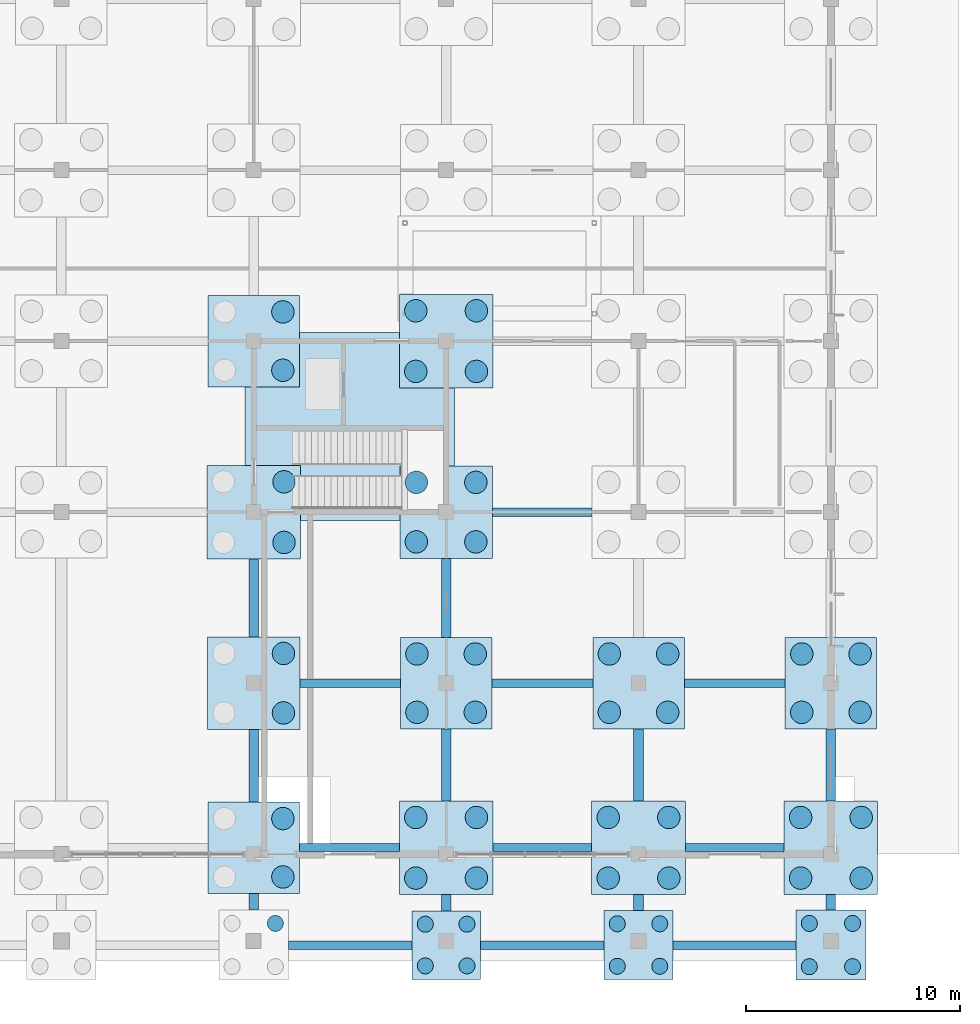
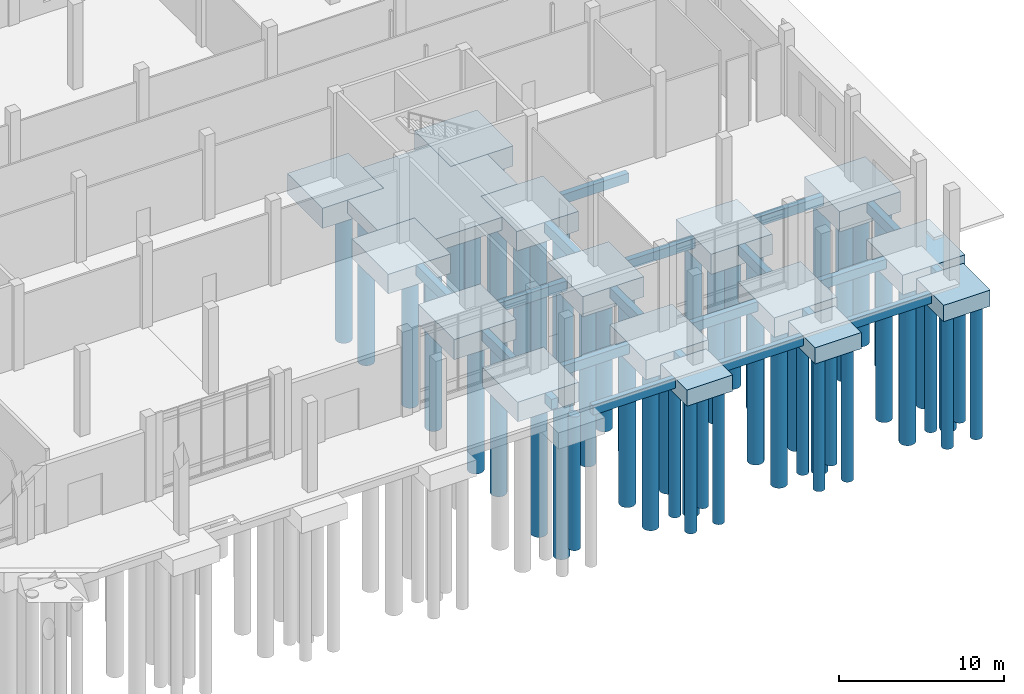
# One storey, part 16 of 99: 53 piles, 36 footings.
"""IFC4 building model written with IfcOpenShell, lengths in metres."""

from ifc_helpers import new_model, si_unit, direction, frame, origin, origin_2d, place, context, subcontext, project, spatial, polyline, rectangle, circle, outline, extrude, material, layer, layer_set, material_profile, profile_set, type_object, element, save


model = new_model("IFC4")

# Units and contexts
model_context = context("Model", 3, precision=1e-05, world=origin(), true_north=direction((0.0, 1.0)))
body_context = subcontext(model_context, "Body", "Model", "MODEL_VIEW")
ifc_project = project(units=[si_unit("LENGTHUNIT", "METRE"), si_unit("AREAUNIT", "SQUARE_METRE"), si_unit("VOLUMEUNIT", "CUBIC_METRE"), si_unit("PLANEANGLEUNIT", "RADIAN"), si_unit("MASSUNIT", "GRAM", prefix="KILO")], contexts=[model_context])

# Site, building, storey
site_placement = place(None, origin())
site = spatial("IfcSite", under=ifc_project, at=site_placement, CompositionType="ELEMENT")
building_placement = place(site_placement, origin())
building = spatial("IfcBuilding", under=site, at=building_placement, Name="Zacnel Wholesale Market", CompositionType="ELEMENT")
storey_placement = place(building_placement, origin())
storey = spatial("IfcBuildingStorey", under=building, at=storey_placement, Name="L01", CompositionType="ELEMENT", Elevation=0.0)

# Footings
ifc_material_1 = material(Name="Concrete C35/45", Category="concrete")
ifc_layer_1 = layer(ifc_material_1, 0.949951171875)
ifc_layer_set_1 = layer_set([ifc_layer_1], Name="Concrete C35/45")
footing_type_1 = type_object("IfcFootingType", Name="FTG-CORE-MAT-9500X8700", PredefinedType="PAD_FOOTING", material=ifc_layer_set_1)
footing_1_placement = place(storey_placement, frame((0.0, 0.0, -1.449951171875)))
element("IfcFooting", 1, at=footing_1_placement, inside=storey, type_object=footing_type_1, Name="Core C2 mat foundation", PredefinedType="PAD_FOOTING", context=body_context, shape_type="SweptSolid", body=[
    extrude(outline(polyline([(195.8349609375, 18.166015625), (195.8349609375, 18.166015625), (195.834716796875, 18.166015625), (195.834716796875, 18.166015625), (195.834716796875, 18.166015625), (195.83447265625, 18.166015625), (195.83447265625, 18.165771484375), (195.83447265625, 18.165771484375), (195.834228515625, 18.165771484375), (195.834228515625, 18.16552734375), (195.834228515625, 18.16552734375), (195.833984375, 18.16552734375), (195.833984375, 18.165283203125), (195.833984375, 18.165283203125), (195.833984375, 18.165283203125), (195.833984375, 18.1650390625), (195.833984375, 18.1650390625), (195.833984375, 15.60009765625), (191.19091796875, 15.60009765625), (191.19091796875, 18.18994140625), (191.19091796875, 18.190185546875), (191.19091796875, 18.190185546875), (191.19091796875, 18.190185546875), (191.19091796875, 18.1904296875), (191.19091796875, 18.1904296875), (191.19091796875, 18.190673828125), (191.19091796875, 18.190673828125), (191.190673828125, 18.190673828125), (191.190673828125, 18.19091796875), (191.190673828125, 18.19091796875), (191.1904296875, 18.19091796875), (191.1904296875, 18.19091796875), (191.190185546875, 18.19091796875), (191.190185546875, 18.19091796875), (191.190185546875, 18.19091796875), (191.18994140625, 18.19091796875), (188.60009765625, 18.19091796875), (188.60009765625, 21.85888671875), (191.139892578125, 21.85888671875), (191.14013671875, 21.85888671875), (191.14013671875, 21.85888671875), (191.140380859375, 21.85888671875), (191.140380859375, 21.859130859375), (191.140380859375, 21.859130859375), (191.140625, 21.859130859375), (191.140625, 21.859130859375), (191.140625, 21.859375), (191.140869140625, 21.859375), (191.140869140625, 21.859375), (191.140869140625, 21.859619140625), (191.140869140625, 21.859619140625), (191.14111328125, 21.859619140625), (191.14111328125, 21.85986328125), (191.14111328125, 21.85986328125), (191.14111328125, 21.860107421875), (191.14111328125, 24.39990234375), (195.80908203125, 24.39990234375), (195.80908203125, 21.81005859375), (195.80908203125, 21.809814453125), (195.80908203125, 21.809814453125), (195.80908203125, 21.809814453125), (195.80908203125, 21.8095703125), (195.80908203125, 21.8095703125), (195.80908203125, 21.809326171875), (195.80908203125, 21.809326171875), (195.809326171875, 21.809326171875), (195.809326171875, 21.80908203125), (195.809326171875, 21.80908203125), (195.8095703125, 21.80908203125), (195.8095703125, 21.80908203125), (195.809814453125, 21.80908203125), (195.809814453125, 21.80908203125), (195.809814453125, 21.80908203125), (195.81005859375, 21.80908203125), (198.39990234375, 21.80908203125), (198.39990234375, 18.166015625), (195.8349609375, 18.166015625)])), origin(), (0.0, 0.0, 1.0), 0.949951171875),
])
ifc_material_2 = material(Name="Concrete C35/45", Category="concrete")
ifc_material_profile_1 = material_profile(ifc_material_2, rectangle(XDim=0.39990234375, YDim=0.699951171875, at=origin_2d()), Name="CT 400x700")
ifc_profile_set_1 = profile_set([ifc_material_profile_1], Name="Concrete C35/45")
footing_type_2 = type_object("IfcFootingType", Name="FTG-CT400X700", PredefinedType="FOOTING_BEAM", material=ifc_profile_set_1)
footing_2_placement = place(storey_placement, frame((190.635009765625, -4.25, -0.85009765625), z_axis=(1.0, 0.0, 0.0), x_axis=(0.0, 1.0, 0.0)))
element("IfcFooting", 2, at=footing_2_placement, inside=storey, type_object=footing_type_2, Name="Ground tie beam CT-X-0243", PredefinedType="FOOTING_BEAM", context=body_context, shape_type="SweptSolid", body=[
    extrude(rectangle(XDim=0.39990234375, YDim=0.699951171875, at=origin_2d()), origin(), (0.0, 0.0, 1.0), 5.764892578125),
])
footing_3_placement = place(storey_placement, frame((199.60009765625, -4.25, -0.85009765625), z_axis=(1.0, 0.0, 0.0), x_axis=(0.0, 1.0, 0.0)))
element("IfcFooting", 3, at=footing_3_placement, inside=storey, type_object=footing_type_2, Name="Ground tie beam CT-X-0244", PredefinedType="FOOTING_BEAM", context=body_context, shape_type="SweptSolid", body=[
    extrude(rectangle(XDim=0.39990234375, YDim=0.699951171875, at=origin_2d()), origin(), (0.0, 0.0, 1.0), 5.77978515625),
])
footing_4_placement = place(storey_placement, frame((208.6201171875, -4.25, -0.85009765625), z_axis=(1.0, 0.0, 0.0), x_axis=(0.0, 1.0, 0.0)))
element("IfcFooting", 4, at=footing_4_placement, inside=storey, type_object=footing_type_2, Name="Ground tie beam CT-X-0245", PredefinedType="FOOTING_BEAM", context=body_context, shape_type="SweptSolid", body=[
    extrude(rectangle(XDim=0.39990234375, YDim=0.699951171875, at=origin_2d()), origin(), (0.0, 0.0, 1.0), 5.744873046875),
])
footing_5_placement = place(storey_placement, frame((191.139892578125, 0.300048828125, -0.85009765625), z_axis=(1.0, 0.0, 0.0), x_axis=(0.0, 1.0, 0.0)))
element("IfcFooting", 5, at=footing_5_placement, inside=storey, type_object=footing_type_2, Name="Ground tie beam CT-X-0261", PredefinedType="FOOTING_BEAM", context=body_context, shape_type="SweptSolid", body=[
    extrude(rectangle(XDim=0.39990234375, YDim=0.699951171875, at=origin_2d()), origin(), (0.0, 0.0, 1.0), 4.670166015625),
])
for number, where, z_axis, x_axis, name in (
    (6, (200.18994140625, 0.300048828125, -0.85009765625), (1.0, 0.0, 0.0), (0.0, 1.0, 0.0), "Ground tie beam CT-X-0262"),
    (7, (209.18994140625, 0.300048828125, -0.85009765625), (1.0, 0.0, 0.0), (0.0, 1.0, 0.0), "Ground tie beam CT-X-0263"),
):
    element("IfcFooting", number, at=place(storey_placement, frame(where, z_axis=z_axis, x_axis=x_axis)), inside=storey, type_object=footing_type_2, Name=name, PredefinedType="FOOTING_BEAM", context=body_context, shape_type="SweptSolid", body=[
        extrude(rectangle(XDim=0.39990234375, YDim=0.699951171875, at=origin_2d()), origin(), (0.0, 0.0, 1.0), 4.6201171875),
    ])
footing_6_placement = place(storey_placement, frame((191.1650390625, 8.0, -0.85009765625), z_axis=(1.0, 0.0, 0.0), x_axis=(0.0, 1.0, 0.0)))
element("IfcFooting", 8, at=footing_6_placement, inside=storey, type_object=footing_type_2, Name="Ground tie beam CT-X-0280", PredefinedType="FOOTING_BEAM", context=body_context, shape_type="SweptSolid", body=[
    extrude(rectangle(XDim=0.39990234375, YDim=0.699951171875, at=origin_2d()), origin(), (0.0, 0.0, 1.0), 4.695068359375),
])
for number, where, z_axis, x_axis, name in (
    (9, (200.139892578125, 8.0, -0.85009765625), (1.0, 0.0, 0.0), (0.0, 1.0, 0.0), "Ground tie beam CT-X-0281"),
    (10, (209.139892578125, 8.0, -0.85009765625), (1.0, 0.0, 0.0), (0.0, 1.0, 0.0), "Ground tie beam CT-X-0282"),
):
    element("IfcFooting", number, at=place(storey_placement, frame(where, z_axis=z_axis, x_axis=x_axis)), inside=storey, type_object=footing_type_2, Name=name, PredefinedType="FOOTING_BEAM", context=body_context, shape_type="SweptSolid", body=[
        extrude(rectangle(XDim=0.39990234375, YDim=0.699951171875, at=origin_2d()), origin(), (0.0, 0.0, 1.0), 4.72021484375),
    ])
footing_7_placement = place(storey_placement, frame((200.1650390625, 16.0, -0.85009765625), z_axis=(1.0, 0.0, 0.0), x_axis=(0.0, 1.0, 0.0)))
element("IfcFooting", 11, at=footing_7_placement, inside=storey, type_object=footing_type_2, Name="Ground tie beam CT-X-0296", PredefinedType="FOOTING_BEAM", context=body_context, shape_type="SweptSolid", body=[
    extrude(rectangle(XDim=0.39990234375, YDim=0.699951171875, at=origin_2d()), origin(), (0.0, 0.0, 1.0), 4.669921875),
])
ifc_material_3 = material(Name="Concrete C35/45", Category="concrete")
ifc_material_profile_2 = material_profile(ifc_material_3, rectangle(XDim=0.449951171875, YDim=0.75, at=origin_2d()), Name="CT 450x750")
ifc_profile_set_2 = profile_set([ifc_material_profile_2], Name="Concrete C35/45")
footing_type_3 = type_object("IfcFootingType", Name="FTG-CT450X750", PredefinedType="FOOTING_BEAM", material=ifc_profile_set_2)
footing_8_placement = place(storey_placement, frame((189.0, -2.614990234375, -0.875), z_axis=(0.0, 1.0, 0.0), x_axis=(-1.0, 0.0, 0.0)))
element("IfcFooting", 12, at=footing_8_placement, inside=storey, type_object=footing_type_3, Name="Ground tie beam CT-Y-0195", PredefinedType="FOOTING_BEAM", context=body_context, shape_type="SweptSolid", body=[
    extrude(rectangle(XDim=0.449951171875, YDim=0.75, at=origin_2d()), origin(), (0.0, 0.0, 1.0), 0.77490234375),
])
footing_9_placement = place(storey_placement, frame((189.0, 2.43994140625, -0.875), z_axis=(0.0, 1.0, 0.0), x_axis=(-1.0, 0.0, 0.0)))
element("IfcFooting", 13, at=footing_9_placement, inside=storey, type_object=footing_type_3, Name="Ground tie beam CT-Y-0196", PredefinedType="FOOTING_BEAM", context=body_context, shape_type="SweptSolid", body=[
    extrude(rectangle(XDim=0.449951171875, YDim=0.75, at=origin_2d()), origin(), (0.0, 0.0, 1.0), 3.39501953125),
])
footing_10_placement = place(storey_placement, frame((189.0, 10.1650390625, -0.875), z_axis=(0.0, 1.0, 0.0), x_axis=(-1.0, 0.0, 0.0)))
element("IfcFooting", 14, at=footing_10_placement, inside=storey, type_object=footing_type_3, Name="Ground tie beam CT-Y-0197", PredefinedType="FOOTING_BEAM", context=body_context, shape_type="SweptSolid", body=[
    extrude(rectangle(XDim=0.449951171875, YDim=0.75, at=origin_2d()), origin(), (0.0, 0.0, 1.0), 3.64501953125),
])
footing_11_placement = place(storey_placement, frame((198.0, -2.64990234375, -0.875), z_axis=(0.0, 1.0, 0.0), x_axis=(-1.0, 0.0, 0.0)))
element("IfcFooting", 15, at=footing_11_placement, inside=storey, type_object=footing_type_3, Name="Ground tie beam CT-Y-0206", PredefinedType="FOOTING_BEAM", context=body_context, shape_type="SweptSolid", body=[
    extrude(rectangle(XDim=0.449951171875, YDim=0.75, at=origin_2d()), origin(), (0.0, 0.0, 1.0), 0.760009765625),
])
footing_12_placement = place(storey_placement, frame((198.0, 2.489990234375, -0.875), z_axis=(0.0, 1.0, 0.0), x_axis=(-1.0, 0.0, 0.0)))
element("IfcFooting", 16, at=footing_12_placement, inside=storey, type_object=footing_type_3, Name="Ground tie beam CT-Y-0207", PredefinedType="FOOTING_BEAM", context=body_context, shape_type="SweptSolid", body=[
    extrude(rectangle(XDim=0.449951171875, YDim=0.75, at=origin_2d()), origin(), (0.0, 0.0, 1.0), 3.3701171875),
])
footing_13_placement = place(storey_placement, frame((198.0, 10.139892578125, -0.875), z_axis=(0.0, 1.0, 0.0), x_axis=(-1.0, 0.0, 0.0)))
element("IfcFooting", 17, at=footing_13_placement, inside=storey, type_object=footing_type_3, Name="Ground tie beam CT-Y-0208", PredefinedType="FOOTING_BEAM", context=body_context, shape_type="SweptSolid", body=[
    extrude(rectangle(XDim=0.449951171875, YDim=0.75, at=origin_2d()), origin(), (0.0, 0.0, 1.0), 3.695068359375),
])
footing_14_placement = place(storey_placement, frame((207.0, -2.6298828125, -0.875), z_axis=(0.0, 1.0, 0.0), x_axis=(-1.0, 0.0, 0.0)))
element("IfcFooting", 18, at=footing_14_placement, inside=storey, type_object=footing_type_3, Name="Ground tie beam CT-Y-0215", PredefinedType="FOOTING_BEAM", context=body_context, shape_type="SweptSolid", body=[
    extrude(rectangle(XDim=0.449951171875, YDim=0.75, at=origin_2d()), origin(), (0.0, 0.0, 1.0), 0.739990234375),
])
footing_15_placement = place(storey_placement, frame((207.0, 2.489990234375, -0.875), z_axis=(0.0, 1.0, 0.0), x_axis=(-1.0, 0.0, 0.0)))
element("IfcFooting", 19, at=footing_15_placement, inside=storey, type_object=footing_type_3, Name="Ground tie beam CT-Y-0216", PredefinedType="FOOTING_BEAM", context=body_context, shape_type="SweptSolid", body=[
    extrude(rectangle(XDim=0.449951171875, YDim=0.75, at=origin_2d()), origin(), (0.0, 0.0, 1.0), 3.3701171875),
])
footing_16_placement = place(storey_placement, frame((216.0, -2.614990234375, -0.875), z_axis=(0.0, 1.0, 0.0), x_axis=(-1.0, 0.0, 0.0)))
element("IfcFooting", 20, at=footing_16_placement, inside=storey, type_object=footing_type_3, Name="Ground tie beam CT-Y-0226", PredefinedType="FOOTING_BEAM", context=body_context, shape_type="SweptSolid", body=[
    extrude(rectangle(XDim=0.449951171875, YDim=0.75, at=origin_2d()), origin(), (0.0, 0.0, 1.0), 0.72509765625),
])
footing_17_placement = place(storey_placement, frame((216.0, 2.489990234375, -0.875), z_axis=(0.0, 1.0, 0.0), x_axis=(-1.0, 0.0, 0.0)))
element("IfcFooting", 21, at=footing_17_placement, inside=storey, type_object=footing_type_3, Name="Ground tie beam CT-Y-0227", PredefinedType="FOOTING_BEAM", context=body_context, shape_type="SweptSolid", body=[
    extrude(rectangle(XDim=0.449951171875, YDim=0.75, at=origin_2d()), origin(), (0.0, 0.0, 1.0), 3.3701171875),
])
ifc_material_4 = material(Name="Concrete C35/45", Category="concrete")
ifc_layer_2 = layer(ifc_material_4, 1.199951171875)
ifc_layer_set_2 = layer_set([ifc_layer_2], Name="Concrete C35/45")
footing_type_4 = type_object("IfcFootingType", Name="FTG-PC-3200X3200X1200", PredefinedType="PILE_CAP", material=ifc_layer_set_2)
footing_18_placement = place(storey_placement, frame((198.0, -4.25, -1.7001953125), z_axis=(0.0, 0.0, 1.0), x_axis=(1.0, 0.0, 0.0)))
element("IfcFooting", 22, at=footing_18_placement, inside=storey, type_object=footing_type_4, Name="Pile cap PC-21 (STR-PC-R2-BV5-07)", PredefinedType="PILE_CAP", context=body_context, shape_type="SweptSolid", body=[
    extrude(rectangle(XDim=3.199951171875, YDim=3.199951171875, at=origin_2d()), origin(), (0.0, 0.0, 1.0), 1.199951171875),
])
ifc_material_5 = material(Name="Concrete C35/45", Category="concrete")
ifc_layer_3 = layer(ifc_material_5, 1.199951171875)
ifc_layer_set_3 = layer_set([ifc_layer_3], Name="Concrete C35/45")
footing_type_5 = type_object("IfcFootingType", Name="FTG-PC-3240X3240X1200", PredefinedType="PILE_CAP", material=ifc_layer_set_3)
footing_19_placement = place(storey_placement, frame((207.0, -4.25, -1.7001953125), z_axis=(0.0, 0.0, 1.0), x_axis=(1.0, 0.0, 0.0)))
element("IfcFooting", 23, at=footing_19_placement, inside=storey, type_object=footing_type_5, Name="Pile cap PC-22 (STR-PC-R2-BV5-08)", PredefinedType="PILE_CAP", context=body_context, shape_type="SweptSolid", body=[
    extrude(rectangle(XDim=3.239990234375, YDim=3.239990234375, at=origin_2d()), origin(), (0.0, 0.0, 1.0), 1.199951171875),
])
ifc_material_6 = material(Name="Concrete C35/45", Category="concrete")
ifc_layer_4 = layer(ifc_material_6, 1.199951171875)
ifc_layer_set_4 = layer_set([ifc_layer_4], Name="Concrete C35/45")
footing_type_6 = type_object("IfcFootingType", Name="FTG-PC-3270X3270X1200", PredefinedType="PILE_CAP", material=ifc_layer_set_4)
footing_20_placement = place(storey_placement, frame((216.0, -4.25, -1.7001953125), z_axis=(0.0, 0.0, 1.0), x_axis=(1.0, 0.0, 0.0)))
element("IfcFooting", 24, at=footing_20_placement, inside=storey, type_object=footing_type_6, Name="Pile cap PC-23 (STR-PC-R2-BV5-09)", PredefinedType="PILE_CAP", context=body_context, shape_type="SweptSolid", body=[
    extrude(rectangle(XDim=3.27001953125, YDim=3.27001953125, at=origin_2d()), origin(), (0.0, 0.0, 1.0), 1.199951171875),
])
ifc_material_7 = material(Name="Concrete C35/45", Category="concrete")
ifc_layer_5 = layer(ifc_material_7, 1.449951171875)
ifc_layer_set_5 = layer_set([ifc_layer_5], Name="Concrete C35/45")
footing_type_7 = type_object("IfcFootingType", Name="FTG-PC-4280X4280X1450", PredefinedType="PILE_CAP", material=ifc_layer_set_5)
footing_21_placement = place(storey_placement, frame((189.0, 0.300048828125, -1.9501953125), z_axis=(0.0, 0.0, 1.0), x_axis=(1.0, 0.0, 0.0)))
element("IfcFooting", 25, at=footing_21_placement, inside=storey, type_object=footing_type_7, Name="Pile cap PC-16 (STR-PC-255)", PredefinedType="PILE_CAP", context=body_context, shape_type="SweptSolid", body=[
    extrude(rectangle(XDim=4.280029296875, YDim=4.280029296875, at=origin_2d()), origin(), (0.0, 0.0, 1.0), 1.449951171875),
])
ifc_material_8 = material(Name="Concrete C35/45", Category="concrete")
ifc_layer_6 = layer(ifc_material_8, 1.5)
ifc_layer_set_6 = layer_set([ifc_layer_6], Name="Concrete C35/45")
footing_type_8 = type_object("IfcFootingType", Name="FTG-PC-4280X4280X1500", PredefinedType="PILE_CAP", material=ifc_layer_set_6)
for number, where, z_axis, x_axis, name in (
    (26, (189.0, 24.0, -2.0), (0.0, 0.0, 1.0), (1.0, 0.0, 0.0), "Pile cap PC-15 (STR-PC-258)"),
    (27, (198.0, 8.0, -2.0), (0.0, 0.0, 1.0), (1.0, 0.0, 0.0), "Pile cap PC-15 (STR-PC-270)"),
    (28, (207.0, 8.0, -2.0), (0.0, 0.0, 1.0), (1.0, 0.0, 0.0), "Pile cap PC-15 (STR-PC-282)"),
    (29, (216.0, 8.0, -2.0), (0.0, 0.0, 1.0), (1.0, 0.0, 0.0), "Pile cap PC-15 (STR-PC-294)"),
):
    element("IfcFooting", number, at=place(storey_placement, frame(where, z_axis=z_axis, x_axis=x_axis)), inside=storey, type_object=footing_type_8, Name=name, PredefinedType="PILE_CAP", context=body_context, shape_type="SweptSolid", body=[
        extrude(rectangle(XDim=4.280029296875, YDim=4.280029296875, at=origin_2d()), origin(), (0.0, 0.0, 1.0), 1.5),
    ])
ifc_material_9 = material(Name="Concrete C35/45", Category="concrete")
ifc_layer_7 = layer(ifc_material_9, 1.449951171875)
ifc_layer_set_7 = layer_set([ifc_layer_7], Name="Concrete C35/45")
footing_type_9 = type_object("IfcFootingType", Name="FTG-PC-4330X4330X1450", PredefinedType="PILE_CAP", material=ifc_layer_set_7)
footing_22_placement = place(storey_placement, frame((198.0, 16.0, -1.9501953125), z_axis=(0.0, 0.0, 1.0), x_axis=(1.0, 0.0, 0.0)))
element("IfcFooting", 30, at=footing_22_placement, inside=storey, type_object=footing_type_9, Name="Pile cap PC-19 (STR-PC-271)", PredefinedType="PILE_CAP", context=body_context, shape_type="SweptSolid", body=[
    extrude(rectangle(XDim=4.330078125, YDim=4.330078125, at=origin_2d()), origin(), (0.0, 0.0, 1.0), 1.449951171875),
])
ifc_material_10 = material(Name="Concrete C35/45", Category="concrete")
ifc_layer_8 = layer(ifc_material_10, 1.5)
ifc_layer_set_8 = layer_set([ifc_layer_8], Name="Concrete C35/45")
footing_type_10 = type_object("IfcFootingType", Name="FTG-PC-4330X4330X1500", PredefinedType="PILE_CAP", material=ifc_layer_set_8)
footing_23_placement = place(storey_placement, frame((189.0, 8.0, -2.0), z_axis=(0.0, 0.0, 1.0), x_axis=(1.0, 0.0, 0.0)))
element("IfcFooting", 31, at=footing_23_placement, inside=storey, type_object=footing_type_10, Name="Pile cap PC-17 (STR-PC-256)", PredefinedType="PILE_CAP", context=body_context, shape_type="SweptSolid", body=[
    extrude(rectangle(XDim=4.330078125, YDim=4.330078125, at=origin_2d()), origin(), (0.0, 0.0, 1.0), 1.5),
])
ifc_material_11 = material(Name="Concrete C35/45", Category="concrete")
ifc_layer_9 = layer(ifc_material_11, 1.449951171875)
ifc_layer_set_9 = layer_set([ifc_layer_9], Name="Concrete C35/45")
footing_type_11 = type_object("IfcFootingType", Name="FTG-PC-4380X4380X1450", PredefinedType="PILE_CAP", material=ifc_layer_set_9)
for number, where, z_axis, x_axis, name in (
    (32, (189.0, 16.0, -1.9501953125), (0.0, 0.0, 1.0), (1.0, 0.0, 0.0), "Pile cap PC-14 (STR-PC-257)"),
    (33, (198.0, 0.300048828125, -1.9501953125), (0.0, 0.0, 1.0), (1.0, 0.0, 0.0), "Pile cap PC-14 (STR-PC-269)"),
    (34, (207.0, 0.300048828125, -1.9501953125), (0.0, 0.0, 1.0), (1.0, 0.0, 0.0), "Pile cap PC-14 (STR-PC-281)"),
    (35, (216.0, 0.300048828125, -1.9501953125), (0.0, 0.0, 1.0), (1.0, 0.0, 0.0), "Pile cap PC-14 (STR-PC-293)"),
):
    element("IfcFooting", number, at=place(storey_placement, frame(where, z_axis=z_axis, x_axis=x_axis)), inside=storey, type_object=footing_type_11, Name=name, PredefinedType="PILE_CAP", context=body_context, shape_type="SweptSolid", body=[
        extrude(rectangle(XDim=4.3798828125, YDim=4.3798828125, at=origin_2d()), origin(), (0.0, 0.0, 1.0), 1.449951171875),
    ])
ifc_material_12 = material(Name="Concrete C35/45", Category="concrete")
ifc_layer_10 = layer(ifc_material_12, 1.5)
ifc_layer_set_10 = layer_set([ifc_layer_10], Name="Concrete C35/45")
footing_type_12 = type_object("IfcFootingType", Name="FTG-PC-4380X4380X1500", PredefinedType="PILE_CAP", material=ifc_layer_set_10)
footing_24_placement = place(storey_placement, frame((198.0, 24.0, -2.0), z_axis=(0.0, 0.0, 1.0), x_axis=(1.0, 0.0, 0.0)))
element("IfcFooting", 36, at=footing_24_placement, inside=storey, type_object=footing_type_12, Name="Pile cap PC-18 (STR-PC-272)", PredefinedType="PILE_CAP", context=body_context, shape_type="SweptSolid", body=[
    extrude(rectangle(XDim=4.3798828125, YDim=4.3798828125, at=origin_2d()), origin(), (0.0, 0.0, 1.0), 1.5),
])

# Piles
ifc_material_13 = material(Name="Concrete C35/45", Category="concrete")
ifc_material_profile_3 = material_profile(ifc_material_13, circle(Radius=0.52490234375, at=origin_2d()), Name="BORED PILE D1050")
ifc_profile_set_3 = profile_set([ifc_material_profile_3], Name="Concrete C35/45")
pile_type_1 = type_object("IfcPileType", Name="PILE-BORED-1050", PredefinedType="BORED", material=ifc_profile_set_3)
for number, where, z_axis, x_axis, name in (
    (37, (190.364990234375, -1.06494140625, -1.85009765625), (0.0, 0.0, -1.0), (1.0, 0.0, 0.0), "Bored pile STR-PILE-255-03"),
    (38, (190.364990234375, 1.6650390625, -1.85009765625), (0.0, 0.0, -1.0), (1.0, 0.0, 0.0), "Bored pile STR-PILE-255-04"),
):
    element("IfcPile", number, at=place(storey_placement, frame(where, z_axis=z_axis, x_axis=x_axis)), inside=storey, type_object=pile_type_1, Name=name, PredefinedType="BORED", context=body_context, shape_type="SweptSolid", body=[
        extrude(circle(Radius=0.52490234375, at=origin_2d()), origin(), (0.0, 0.0, 1.0), 11.64990234375),
    ])
for number, where, z_axis, x_axis, name in (
    (39, (190.3916015625, 6.6083984375, -1.89990234375), (0.0, 0.0, -1.0), (1.0, 0.0, 0.0), "Bored pile STR-PILE-256-03"),
    (40, (190.3916015625, 9.3916015625, -1.89990234375), (0.0, 0.0, -1.0), (1.0, 0.0, 0.0), "Bored pile STR-PILE-256-04"),
):
    element("IfcPile", number, at=place(storey_placement, frame(where, z_axis=z_axis, x_axis=x_axis)), inside=storey, type_object=pile_type_1, Name=name, PredefinedType="BORED", context=body_context, shape_type="SweptSolid", body=[
        extrude(circle(Radius=0.52490234375, at=origin_2d()), origin(), (0.0, 0.0, 1.0), 11.60009765625),
    ])
for number, where, z_axis, x_axis, name in (
    (41, (190.41748046875, 14.58251953125, -1.85009765625), (0.0, 0.0, -1.0), (1.0, 0.0, 0.0), "Bored pile STR-PILE-257-03"),
    (42, (190.41748046875, 17.41748046875, -1.85009765625), (0.0, 0.0, -1.0), (1.0, 0.0, 0.0), "Bored pile STR-PILE-257-04"),
):
    element("IfcPile", number, at=place(storey_placement, frame(where, z_axis=z_axis, x_axis=x_axis)), inside=storey, type_object=pile_type_1, Name=name, PredefinedType="BORED", context=body_context, shape_type="SweptSolid", body=[
        extrude(circle(Radius=0.52490234375, at=origin_2d()), origin(), (0.0, 0.0, 1.0), 11.64990234375),
    ])
for number, where, z_axis, x_axis, name in (
    (43, (190.364990234375, 22.635009765625, -1.89990234375), (0.0, 0.0, -1.0), (1.0, 0.0, 0.0), "Bored pile STR-PILE-258-03"),
    (44, (190.364990234375, 25.364990234375, -1.89990234375), (0.0, 0.0, -1.0), (1.0, 0.0, 0.0), "Bored pile STR-PILE-258-04"),
):
    element("IfcPile", number, at=place(storey_placement, frame(where, z_axis=z_axis, x_axis=x_axis)), inside=storey, type_object=pile_type_1, Name=name, PredefinedType="BORED", context=body_context, shape_type="SweptSolid", body=[
        extrude(circle(Radius=0.52490234375, at=origin_2d()), origin(), (0.0, 0.0, 1.0), 11.60009765625),
    ])
for number, where, z_axis, x_axis, name in (
    (45, (196.58251953125, -1.117431640625, -1.85009765625), (0.0, 0.0, -1.0), (1.0, 0.0, 0.0), "Bored pile STR-PILE-269-01"),
    (46, (196.58251953125, 1.717529296875, -1.85009765625), (0.0, 0.0, -1.0), (1.0, 0.0, 0.0), "Bored pile STR-PILE-269-02"),
    (47, (199.41748046875, -1.117431640625, -1.85009765625), (0.0, 0.0, -1.0), (1.0, 0.0, 0.0), "Bored pile STR-PILE-269-03"),
    (48, (199.41748046875, 1.717529296875, -1.85009765625), (0.0, 0.0, -1.0), (1.0, 0.0, 0.0), "Bored pile STR-PILE-269-04"),
):
    element("IfcPile", number, at=place(storey_placement, frame(where, z_axis=z_axis, x_axis=x_axis)), inside=storey, type_object=pile_type_1, Name=name, PredefinedType="BORED", context=body_context, shape_type="SweptSolid", body=[
        extrude(circle(Radius=0.52490234375, at=origin_2d()), origin(), (0.0, 0.0, 1.0), 11.64990234375),
    ])
for number, where, z_axis, x_axis, name in (
    (49, (196.635009765625, 6.635009765625, -1.89990234375), (0.0, 0.0, -1.0), (1.0, 0.0, 0.0), "Bored pile STR-PILE-270-01"),
    (50, (196.635009765625, 9.364990234375, -1.89990234375), (0.0, 0.0, -1.0), (1.0, 0.0, 0.0), "Bored pile STR-PILE-270-02"),
    (51, (199.364990234375, 6.635009765625, -1.89990234375), (0.0, 0.0, -1.0), (1.0, 0.0, 0.0), "Bored pile STR-PILE-270-03"),
    (52, (199.364990234375, 9.364990234375, -1.89990234375), (0.0, 0.0, -1.0), (1.0, 0.0, 0.0), "Bored pile STR-PILE-270-04"),
):
    element("IfcPile", number, at=place(storey_placement, frame(where, z_axis=z_axis, x_axis=x_axis)), inside=storey, type_object=pile_type_1, Name=name, PredefinedType="BORED", context=body_context, shape_type="SweptSolid", body=[
        extrude(circle(Radius=0.52490234375, at=origin_2d()), origin(), (0.0, 0.0, 1.0), 11.60009765625),
    ])
for number, where, z_axis, x_axis, name in (
    (53, (196.6083984375, 14.6083984375, -1.85009765625), (0.0, 0.0, -1.0), (1.0, 0.0, 0.0), "Bored pile STR-PILE-271-01"),
    (54, (196.6083984375, 17.3916015625, -1.85009765625), (0.0, 0.0, -1.0), (1.0, 0.0, 0.0), "Bored pile STR-PILE-271-02"),
    (55, (199.3916015625, 14.6083984375, -1.85009765625), (0.0, 0.0, -1.0), (1.0, 0.0, 0.0), "Bored pile STR-PILE-271-03"),
    (56, (199.3916015625, 17.3916015625, -1.85009765625), (0.0, 0.0, -1.0), (1.0, 0.0, 0.0), "Bored pile STR-PILE-271-04"),
):
    element("IfcPile", number, at=place(storey_placement, frame(where, z_axis=z_axis, x_axis=x_axis)), inside=storey, type_object=pile_type_1, Name=name, PredefinedType="BORED", context=body_context, shape_type="SweptSolid", body=[
        extrude(circle(Radius=0.52490234375, at=origin_2d()), origin(), (0.0, 0.0, 1.0), 11.64990234375),
    ])
for number, where, z_axis, x_axis, name in (
    (57, (196.58251953125, 22.58251953125, -1.89990234375), (0.0, 0.0, -1.0), (1.0, 0.0, 0.0), "Bored pile STR-PILE-272-01"),
    (58, (196.58251953125, 25.41748046875, -1.89990234375), (0.0, 0.0, -1.0), (1.0, 0.0, 0.0), "Bored pile STR-PILE-272-02"),
    (59, (199.41748046875, 22.58251953125, -1.89990234375), (0.0, 0.0, -1.0), (1.0, 0.0, 0.0), "Bored pile STR-PILE-272-03"),
    (60, (199.41748046875, 25.41748046875, -1.89990234375), (0.0, 0.0, -1.0), (1.0, 0.0, 0.0), "Bored pile STR-PILE-272-04"),
):
    element("IfcPile", number, at=place(storey_placement, frame(where, z_axis=z_axis, x_axis=x_axis)), inside=storey, type_object=pile_type_1, Name=name, PredefinedType="BORED", context=body_context, shape_type="SweptSolid", body=[
        extrude(circle(Radius=0.52490234375, at=origin_2d()), origin(), (0.0, 0.0, 1.0), 11.60009765625),
    ])
for number, where, z_axis, x_axis, name in (
    (61, (205.58251953125, -1.117431640625, -1.85009765625), (0.0, 0.0, -1.0), (1.0, 0.0, 0.0), "Bored pile STR-PILE-281-01"),
    (62, (205.58251953125, 1.717529296875, -1.85009765625), (0.0, 0.0, -1.0), (1.0, 0.0, 0.0), "Bored pile STR-PILE-281-02"),
    (63, (208.41748046875, -1.117431640625, -1.85009765625), (0.0, 0.0, -1.0), (1.0, 0.0, 0.0), "Bored pile STR-PILE-281-03"),
    (64, (208.41748046875, 1.717529296875, -1.85009765625), (0.0, 0.0, -1.0), (1.0, 0.0, 0.0), "Bored pile STR-PILE-281-04"),
):
    element("IfcPile", number, at=place(storey_placement, frame(where, z_axis=z_axis, x_axis=x_axis)), inside=storey, type_object=pile_type_1, Name=name, PredefinedType="BORED", context=body_context, shape_type="SweptSolid", body=[
        extrude(circle(Radius=0.52490234375, at=origin_2d()), origin(), (0.0, 0.0, 1.0), 11.64990234375),
    ])
for number, where, z_axis, x_axis, name in (
    (65, (205.635009765625, 6.635009765625, -1.89990234375), (0.0, 0.0, -1.0), (1.0, 0.0, 0.0), "Bored pile STR-PILE-282-01"),
    (66, (205.635009765625, 9.364990234375, -1.89990234375), (0.0, 0.0, -1.0), (1.0, 0.0, 0.0), "Bored pile STR-PILE-282-02"),
    (67, (208.364990234375, 6.635009765625, -1.89990234375), (0.0, 0.0, -1.0), (1.0, 0.0, 0.0), "Bored pile STR-PILE-282-03"),
    (68, (208.364990234375, 9.364990234375, -1.89990234375), (0.0, 0.0, -1.0), (1.0, 0.0, 0.0), "Bored pile STR-PILE-282-04"),
):
    element("IfcPile", number, at=place(storey_placement, frame(where, z_axis=z_axis, x_axis=x_axis)), inside=storey, type_object=pile_type_1, Name=name, PredefinedType="BORED", context=body_context, shape_type="SweptSolid", body=[
        extrude(circle(Radius=0.52490234375, at=origin_2d()), origin(), (0.0, 0.0, 1.0), 11.60009765625),
    ])
for number, where, z_axis, x_axis, name in (
    (69, (214.58251953125, -1.117431640625, -1.85009765625), (0.0, 0.0, -1.0), (1.0, 0.0, 0.0), "Bored pile STR-PILE-293-01"),
    (70, (214.58251953125, 1.717529296875, -1.85009765625), (0.0, 0.0, -1.0), (1.0, 0.0, 0.0), "Bored pile STR-PILE-293-02"),
    (71, (217.41748046875, -1.117431640625, -1.85009765625), (0.0, 0.0, -1.0), (1.0, 0.0, 0.0), "Bored pile STR-PILE-293-03"),
    (72, (217.41748046875, 1.717529296875, -1.85009765625), (0.0, 0.0, -1.0), (1.0, 0.0, 0.0), "Bored pile STR-PILE-293-04"),
):
    element("IfcPile", number, at=place(storey_placement, frame(where, z_axis=z_axis, x_axis=x_axis)), inside=storey, type_object=pile_type_1, Name=name, PredefinedType="BORED", context=body_context, shape_type="SweptSolid", body=[
        extrude(circle(Radius=0.52490234375, at=origin_2d()), origin(), (0.0, 0.0, 1.0), 11.64990234375),
    ])
for number, where, z_axis, x_axis, name in (
    (73, (214.635009765625, 6.635009765625, -1.89990234375), (0.0, 0.0, -1.0), (1.0, 0.0, 0.0), "Bored pile STR-PILE-294-01"),
    (74, (214.635009765625, 9.364990234375, -1.89990234375), (0.0, 0.0, -1.0), (1.0, 0.0, 0.0), "Bored pile STR-PILE-294-02"),
    (75, (217.364990234375, 6.635009765625, -1.89990234375), (0.0, 0.0, -1.0), (1.0, 0.0, 0.0), "Bored pile STR-PILE-294-03"),
    (76, (217.364990234375, 9.364990234375, -1.89990234375), (0.0, 0.0, -1.0), (1.0, 0.0, 0.0), "Bored pile STR-PILE-294-04"),
):
    element("IfcPile", number, at=place(storey_placement, frame(where, z_axis=z_axis, x_axis=x_axis)), inside=storey, type_object=pile_type_1, Name=name, PredefinedType="BORED", context=body_context, shape_type="SweptSolid", body=[
        extrude(circle(Radius=0.52490234375, at=origin_2d()), origin(), (0.0, 0.0, 1.0), 11.60009765625),
    ])
ifc_material_14 = material(Name="Concrete C35/45", Category="concrete")
ifc_material_profile_4 = material_profile(ifc_material_14, circle(Radius=0.375, at=origin_2d()), Name="BORED PILE D750")
ifc_profile_set_4 = profile_set([ifc_material_profile_4], Name="Concrete C35/45")
pile_type_2 = type_object("IfcPileType", Name="PILE-BORED-750", PredefinedType="BORED", material=ifc_profile_set_4)
for number, where, z_axis, x_axis, name in (
    (77, (190.012451171875, -3.237548828125, -1.60009765625), (0.0, 0.0, -1.0), (1.0, 0.0, 0.0), "Bored pile STR-PILE-R2-BV5-06-04"),
    (78, (197.02490234375, -5.22509765625, -1.60009765625), (0.0, 0.0, -1.0), (1.0, 0.0, 0.0), "Bored pile STR-PILE-R2-BV5-07-01"),
    (79, (197.02490234375, -3.27490234375, -1.60009765625), (0.0, 0.0, -1.0), (1.0, 0.0, 0.0), "Bored pile STR-PILE-R2-BV5-07-02"),
    (80, (198.97509765625, -5.22509765625, -1.60009765625), (0.0, 0.0, -1.0), (1.0, 0.0, 0.0), "Bored pile STR-PILE-R2-BV5-07-03"),
    (81, (198.97509765625, -3.27490234375, -1.60009765625), (0.0, 0.0, -1.0), (1.0, 0.0, 0.0), "Bored pile STR-PILE-R2-BV5-07-04"),
    (82, (206.006591796875, -5.243408203125, -1.60009765625), (0.0, 0.0, -1.0), (1.0, 0.0, 0.0), "Bored pile STR-PILE-R2-BV5-08-01"),
    (83, (206.006591796875, -3.256591796875, -1.60009765625), (0.0, 0.0, -1.0), (1.0, 0.0, 0.0), "Bored pile STR-PILE-R2-BV5-08-02"),
    (84, (207.993408203125, -5.243408203125, -1.60009765625), (0.0, 0.0, -1.0), (1.0, 0.0, 0.0), "Bored pile STR-PILE-R2-BV5-08-03"),
    (85, (207.993408203125, -3.256591796875, -1.60009765625), (0.0, 0.0, -1.0), (1.0, 0.0, 0.0), "Bored pile STR-PILE-R2-BV5-08-04"),
    (86, (214.987548828125, -5.262451171875, -1.60009765625), (0.0, 0.0, -1.0), (1.0, 0.0, 0.0), "Bored pile STR-PILE-R2-BV5-09-01"),
    (87, (214.987548828125, -3.237548828125, -1.60009765625), (0.0, 0.0, -1.0), (1.0, 0.0, 0.0), "Bored pile STR-PILE-R2-BV5-09-02"),
    (88, (217.012451171875, -5.262451171875, -1.60009765625), (0.0, 0.0, -1.0), (1.0, 0.0, 0.0), "Bored pile STR-PILE-R2-BV5-09-03"),
    (89, (217.012451171875, -3.237548828125, -1.60009765625), (0.0, 0.0, -1.0), (1.0, 0.0, 0.0), "Bored pile STR-PILE-R2-BV5-09-04"),
):
    element("IfcPile", number, at=place(storey_placement, frame(where, z_axis=z_axis, x_axis=x_axis)), inside=storey, type_object=pile_type_2, Name=name, PredefinedType="BORED", context=body_context, shape_type="SweptSolid", body=[
        extrude(circle(Radius=0.375, at=origin_2d()), origin(), (0.0, 0.0, 1.0), 9.89990234375),
    ])

save(model, "model.ifc")
